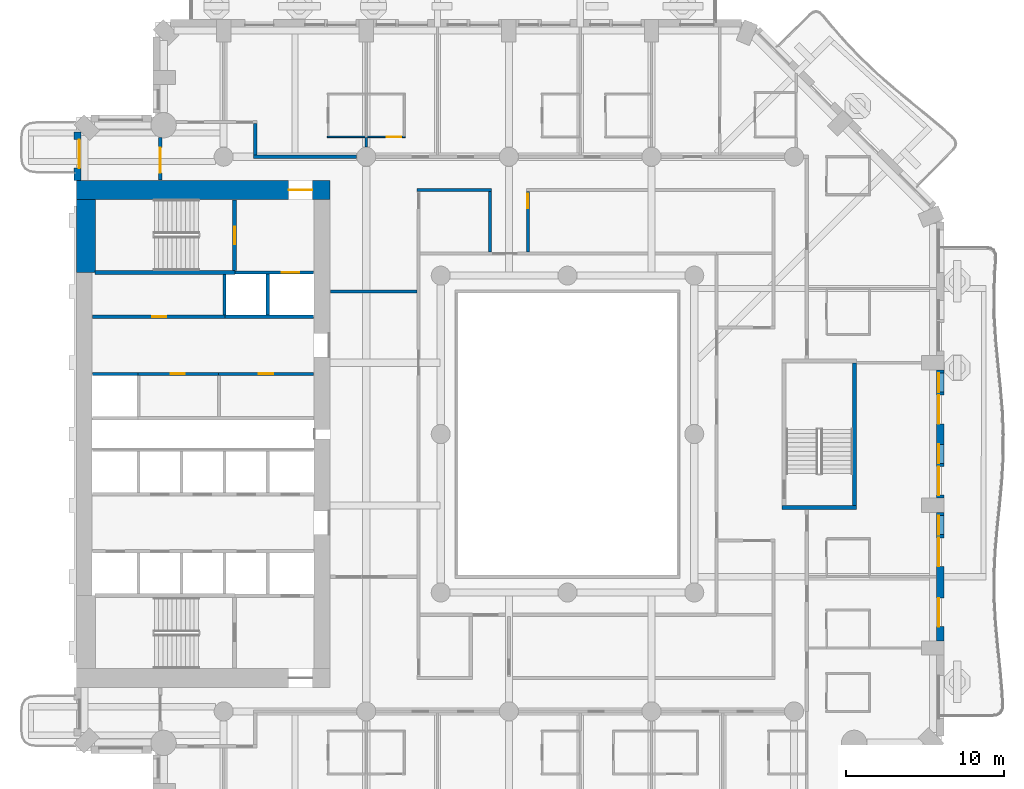
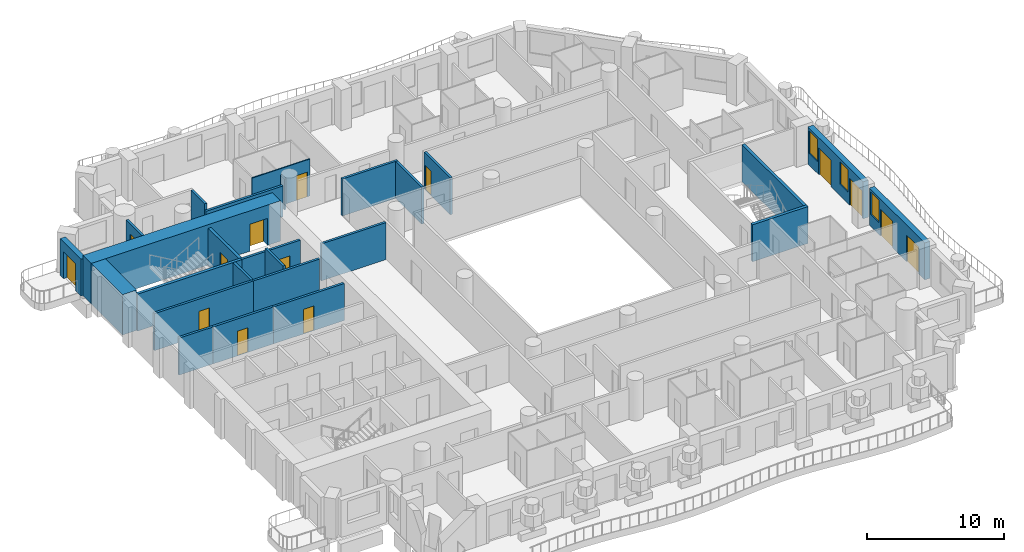
# One storey, part 7 of 20: 26 walls, 14 doors, 3 windows, 17 openings.
"""IFC4 building model written with IfcOpenShell, lengths in metres."""

from ifc_helpers import new_model, si_unit, direction, frame, frame_2d, origin, place, context, subcontext, project, spatial, rectangle, extrude, material, layer, layer_set, type_object, element, fill, save


model = new_model("IFC4")

# Units and contexts
model_context = context("Model", 3, precision=1e-05, world=origin(), true_north=direction((0.0, 1.0)))
body_context = subcontext(model_context, "Body", "Model", "MODEL_VIEW")
ifc_project = project(units=[si_unit("LENGTHUNIT", "METRE"), si_unit("AREAUNIT", "SQUARE_METRE"), si_unit("VOLUMEUNIT", "CUBIC_METRE"), si_unit("PLANEANGLEUNIT", "RADIAN"), si_unit("MASSUNIT", "GRAM", prefix="KILO")], contexts=[model_context])

# Site, building, storey
site_placement = place(None, origin())
site = spatial("IfcSite", under=ifc_project, at=site_placement, CompositionType="ELEMENT")
building_placement = place(site_placement, origin())
building = spatial("IfcBuilding", under=site, at=building_placement, Name="Cypress Arch Tower", CompositionType="ELEMENT")
storey_placement = place(building_placement, frame((0.0, 0.0, 55.5)))
storey = spatial("IfcBuildingStorey", under=building, at=storey_placement, Name="L07", CompositionType="ELEMENT", Elevation=55.5)

# Wall, opening, door
ifc_material_1 = material(Name="Brick (red buff blend)", Category="masonry")
ifc_layer_1 = layer(ifc_material_1, 0.449951171875)
ifc_layer_set_1 = layer_set([ifc_layer_1], Name="Brick pier and spandrel wall BW450")
wall_type_1 = type_object("IfcWallType", Name="Brick pier and spandrel wall BW450", PredefinedType="SOLIDWALL", material=ifc_layer_set_1)
wall_1_placement = place(storey_placement, frame((-29.925048828125, 19.063720703125, 0.0), z_axis=(0.0, 0.0, 1.0), x_axis=(0.0, -1.0, 0.0)))
wall_1 = element("IfcWall", 1, at=wall_1_placement, inside=storey, type_object=wall_type_1, Name="Brick wall L07 A00.0", PredefinedType="SOLIDWALL", context=body_context, shape_type="SweptSolid", body=[
    extrude(rectangle(XDim=3.063720703125, YDim=0.449951171875, at=frame_2d((1.53173828125, 0.0))), origin(), (0.0, 0.0, 1.0), 3.300048828125),
])
opening_1_placement = place(wall_1_placement, frame((0.481689453125, 0.0, 0.0)))
opening_1 = element("IfcOpeningElement", 2, at=opening_1_placement, cuts=wall_1, Name="Opening D-L07-A00.0.1", PredefinedType="OPENING", context=body_context, shape_type="SweptSolid", body=[
    extrude(rectangle(XDim=1.800048828125, YDim=2.39990234375, at=frame_2d((0.89990234375, 1.199951171875))), frame((0.0, 0.23486328125, 0.0), z_axis=(0.0, -1.0, 0.0), x_axis=(1.0, 0.0, 0.0)), (0.0, 0.0, 1.0), 0.469970703125),
])
ifc_material_2 = material(Name="Anodised aluminium, bronze finish, laminated low-emissivity double glazing, large-missile impact rated", Category="aluminium")
door_type_1 = type_object("IfcDoorType", Name="Balcony sliding door 1800x2400", OperationType="SLIDING_TO_LEFT", PredefinedType="DOOR", material=ifc_material_2)
door_1_placement = place(opening_1_placement, origin())
door_1 = element("IfcDoor", 3, at=door_1_placement, inside=storey, type_object=door_type_1, Name="Balcony door L07 A00.0.1", OperationType="SLIDING_TO_LEFT", OverallHeight=2.39990234375, OverallWidth=1.800048828125, PredefinedType="DOOR", context=body_context, shape_type="SweptSolid", body=[
    extrude(rectangle(XDim=1.800048828125, YDim=2.39990234375, at=frame_2d((0.89990234375, 1.199951171875))), frame((0.0, 0.1298828125, 0.0), z_axis=(0.0, -1.0, 0.0), x_axis=(1.0, 0.0, 0.0)), (0.0, 0.0, 1.0), 0.050048828125),
])
fill(opening_1, door_1)

# Wall, openings, doors, window
wall_2_placement = place(storey_placement, frame((24.52490234375, -13.050048828125, 0.0), z_axis=(0.0, 0.0, 1.0), x_axis=(0.0, 1.0, 0.0)))
wall_2 = element("IfcWall", 4, at=wall_2_placement, inside=storey, type_object=wall_type_1, Name="Brick wall L07 A06.1", PredefinedType="SOLIDWALL", context=body_context, shape_type="SweptSolid", body=[
    extrude(rectangle(XDim=8.10009765625, YDim=0.449951171875, at=frame_2d((4.050048828125, 0.0))), origin(), (0.0, 0.0, 1.0), 3.300048828125),
])
opening_2_placement = place(wall_2_placement, frame((0.89990234375, 0.0, 0.0)))
opening_2 = element("IfcOpeningElement", 5, at=opening_2_placement, cuts=wall_2, Name="Opening D-L07-A06.1.1", PredefinedType="OPENING", context=body_context, shape_type="SweptSolid", body=[
    extrude(rectangle(XDim=1.800048828125, YDim=2.39990234375, at=frame_2d((0.89990234375, 1.199951171875))), frame((0.0, 0.23486328125, 0.0), z_axis=(0.0, -1.0, 0.0), x_axis=(1.0, 0.0, 0.0)), (0.0, 0.0, 1.0), 0.469970703125),
])
opening_3_placement = place(wall_2_placement, frame((4.699951171875, 0.0, 0.0)))
opening_3 = element("IfcOpeningElement", 6, at=opening_3_placement, cuts=wall_2, Name="Opening D-L07-A06.1.2", PredefinedType="OPENING", context=body_context, shape_type="SweptSolid", body=[
    extrude(rectangle(XDim=1.800048828125, YDim=2.39990234375, at=frame_2d((0.89990234375, 1.199951171875))), frame((0.0, 0.23486328125, 0.0), z_axis=(0.0, -1.0, 0.0), x_axis=(1.0, 0.0, 0.0)), (0.0, 0.0, 1.0), 0.469970703125),
])
opening_4_placement = place(wall_2_placement, frame((6.699951171875, 0.0, 1.050048828125)))
opening_4 = element("IfcOpeningElement", 7, at=opening_4_placement, cuts=wall_2, Name="Opening W120HD", PredefinedType="OPENING", context=body_context, shape_type="SweptSolid", body=[
    extrude(rectangle(XDim=1.199951171875, YDim=2.0, at=frame_2d((0.60009765625, 1.0))), frame((0.0, 0.23486328125, 0.0), z_axis=(0.0, -1.0, 0.0), x_axis=(1.0, 0.0, 0.0)), (0.0, 0.0, 1.0), 0.469970703125),
])
door_2_placement = place(opening_2_placement, origin())
door_2 = element("IfcDoor", 8, at=door_2_placement, inside=storey, type_object=door_type_1, Name="Balcony door L07 A06.1.1", OperationType="SLIDING_TO_LEFT", OverallHeight=2.39990234375, OverallWidth=1.800048828125, PredefinedType="DOOR", context=body_context, shape_type="SweptSolid", body=[
    extrude(rectangle(XDim=1.800048828125, YDim=2.39990234375, at=frame_2d((0.89990234375, 1.199951171875))), frame((0.0, 0.1298828125, 0.0), z_axis=(0.0, -1.0, 0.0), x_axis=(1.0, 0.0, 0.0)), (0.0, 0.0, 1.0), 0.050048828125),
])
fill(opening_2, door_2)
door_3_placement = place(opening_3_placement, origin())
door_3 = element("IfcDoor", 9, at=door_3_placement, inside=storey, type_object=door_type_1, Name="Balcony door L07 A06.1.2", OperationType="SLIDING_TO_LEFT", OverallHeight=2.39990234375, OverallWidth=1.800048828125, PredefinedType="DOOR", context=body_context, shape_type="SweptSolid", body=[
    extrude(rectangle(XDim=1.800048828125, YDim=2.39990234375, at=frame_2d((0.89990234375, 1.199951171875))), frame((0.0, 0.1298828125, 0.0), z_axis=(0.0, -1.0, 0.0), x_axis=(1.0, 0.0, 0.0)), (0.0, 0.0, 1.0), 0.050048828125),
])
fill(opening_3, door_3)
ifc_material_3 = material(Name="Anodised aluminium, bronze finish, laminated low-emissivity double glazing, large-missile impact rated", Category="aluminium")
window_type = type_object("IfcWindowType", Name="Window Hotel 1200x2000 debris-rated", PartitioningType="SINGLE_PANEL", PredefinedType="WINDOW", material=ifc_material_3)
window_1_placement = place(opening_4_placement, origin())
window_1 = element("IfcWindow", 10, at=window_1_placement, inside=storey, type_object=window_type, Name="Window L07 A06.1.2", OverallHeight=2.0, OverallWidth=1.199951171875, PartitioningType="SINGLE_PANEL", PredefinedType="WINDOW", context=body_context, shape_type="SweptSolid", body=[
    extrude(rectangle(XDim=1.199951171875, YDim=2.0, at=frame_2d((0.60009765625, 1.0))), frame((0.0, 0.135009765625, 0.0), z_axis=(0.0, -1.0, 0.0), x_axis=(1.0, 0.0, 0.0)), (0.0, 0.0, 1.0), 0.06005859375),
])
fill(opening_4, window_1)

# Wall, openings, doors, windows
wall_3_placement = place(storey_placement, frame((24.52490234375, -4.050048828125, 0.0), z_axis=(0.0, 0.0, 1.0), x_axis=(0.0, 1.0, 0.0)))
wall_3 = element("IfcWall", 11, at=wall_3_placement, inside=storey, type_object=wall_type_1, Name="Brick wall L07 A06.2", PredefinedType="SOLIDWALL", context=body_context, shape_type="SweptSolid", body=[
    extrude(rectangle(XDim=8.10009765625, YDim=0.449951171875, at=frame_2d((4.050048828125, 0.0))), origin(), (0.0, 0.0, 1.0), 3.300048828125),
])
opening_5_placement = place(wall_3_placement, frame((0.199951171875, 0.0, 0.0)))
opening_5 = element("IfcOpeningElement", 12, at=opening_5_placement, cuts=wall_3, Name="Opening D-L07-A06.2.1", PredefinedType="OPENING", context=body_context, shape_type="SweptSolid", body=[
    extrude(rectangle(XDim=1.800048828125, YDim=2.39990234375, at=frame_2d((0.89990234375, 1.199951171875))), frame((0.0, 0.23486328125, 0.0), z_axis=(0.0, -1.0, 0.0), x_axis=(1.0, 0.0, 0.0)), (0.0, 0.0, 1.0), 0.469970703125),
])
opening_6_placement = place(wall_3_placement, frame((2.199951171875, 0.0, 1.050048828125)))
opening_6 = element("IfcOpeningElement", 13, at=opening_6_placement, cuts=wall_3, Name="Opening W120HD", PredefinedType="OPENING", context=body_context, shape_type="SweptSolid", body=[
    extrude(rectangle(XDim=1.199951171875, YDim=2.0, at=frame_2d((0.60009765625, 1.0))), frame((0.0, 0.23486328125, 0.0), z_axis=(0.0, -1.0, 0.0), x_axis=(1.0, 0.0, 0.0)), (0.0, 0.0, 1.0), 0.469970703125),
])
opening_7_placement = place(wall_3_placement, frame((4.699951171875, 0.0, 0.0)))
opening_7 = element("IfcOpeningElement", 14, at=opening_7_placement, cuts=wall_3, Name="Opening D-L07-A06.2.2", PredefinedType="OPENING", context=body_context, shape_type="SweptSolid", body=[
    extrude(rectangle(XDim=1.800048828125, YDim=2.39990234375, at=frame_2d((0.89990234375, 1.199951171875))), frame((0.0, 0.23486328125, 0.0), z_axis=(0.0, -1.0, 0.0), x_axis=(1.0, 0.0, 0.0)), (0.0, 0.0, 1.0), 0.469970703125),
])
opening_8_placement = place(wall_3_placement, frame((6.699951171875, 0.0, 1.050048828125)))
opening_8 = element("IfcOpeningElement", 15, at=opening_8_placement, cuts=wall_3, Name="Opening W120HD", PredefinedType="OPENING", context=body_context, shape_type="SweptSolid", body=[
    extrude(rectangle(XDim=1.199951171875, YDim=2.0, at=frame_2d((0.60009765625, 1.0))), frame((0.0, 0.23486328125, 0.0), z_axis=(0.0, -1.0, 0.0), x_axis=(1.0, 0.0, 0.0)), (0.0, 0.0, 1.0), 0.469970703125),
])
door_4_placement = place(opening_5_placement, origin())
door_4 = element("IfcDoor", 16, at=door_4_placement, inside=storey, type_object=door_type_1, Name="Balcony door L07 A06.2.1", OperationType="SLIDING_TO_LEFT", OverallHeight=2.39990234375, OverallWidth=1.800048828125, PredefinedType="DOOR", context=body_context, shape_type="SweptSolid", body=[
    extrude(rectangle(XDim=1.800048828125, YDim=2.39990234375, at=frame_2d((0.89990234375, 1.199951171875))), frame((0.0, 0.1298828125, 0.0), z_axis=(0.0, -1.0, 0.0), x_axis=(1.0, 0.0, 0.0)), (0.0, 0.0, 1.0), 0.050048828125),
])
fill(opening_5, door_4)
door_5_placement = place(opening_7_placement, origin())
door_5 = element("IfcDoor", 17, at=door_5_placement, inside=storey, type_object=door_type_1, Name="Balcony door L07 A06.2.2", OperationType="SLIDING_TO_LEFT", OverallHeight=2.39990234375, OverallWidth=1.800048828125, PredefinedType="DOOR", context=body_context, shape_type="SweptSolid", body=[
    extrude(rectangle(XDim=1.800048828125, YDim=2.39990234375, at=frame_2d((0.89990234375, 1.199951171875))), frame((0.0, 0.1298828125, 0.0), z_axis=(0.0, -1.0, 0.0), x_axis=(1.0, 0.0, 0.0)), (0.0, 0.0, 1.0), 0.050048828125),
])
fill(opening_7, door_5)
window_2_placement = place(opening_6_placement, origin())
window_2 = element("IfcWindow", 18, at=window_2_placement, inside=storey, type_object=window_type, Name="Window L07 A06.2.1", OverallHeight=2.0, OverallWidth=1.199951171875, PartitioningType="SINGLE_PANEL", PredefinedType="WINDOW", context=body_context, shape_type="SweptSolid", body=[
    extrude(rectangle(XDim=1.199951171875, YDim=2.0, at=frame_2d((0.60009765625, 1.0))), frame((0.0, 0.135009765625, 0.0), z_axis=(0.0, -1.0, 0.0), x_axis=(1.0, 0.0, 0.0)), (0.0, 0.0, 1.0), 0.06005859375),
])
fill(opening_6, window_2)
window_3_placement = place(opening_8_placement, origin())
window_3 = element("IfcWindow", 19, at=window_3_placement, inside=storey, type_object=window_type, Name="Window L07 A06.2.2", OverallHeight=2.0, OverallWidth=1.199951171875, PartitioningType="SINGLE_PANEL", PredefinedType="WINDOW", context=body_context, shape_type="SweptSolid", body=[
    extrude(rectangle(XDim=1.199951171875, YDim=2.0, at=frame_2d((0.60009765625, 1.0))), frame((0.0, 0.135009765625, 0.0), z_axis=(0.0, -1.0, 0.0), x_axis=(1.0, 0.0, 0.0)), (0.0, 0.0, 1.0), 0.06005859375),
])
fill(opening_8, window_3)

# Wall, opening, door
ifc_material_4 = material(Name="Concrete C80/95", Category="concrete")
ifc_layer_2 = layer(ifc_material_4, 1.199951171875)
ifc_layer_set_2 = layer_set([ifc_layer_2], Name="Core wall CW1200 C80/95")
wall_type_2 = type_object("IfcWallType", Name="Core wall CW1200 C80/95", PredefinedType="SHEAR", material=ifc_layer_set_2)
wall_4_placement = place(storey_placement, frame((-30.0, 15.39990234375, 0.0), z_axis=(0.0, 0.0, 1.0), x_axis=(1.0, 0.0, 0.0)))
wall_4 = element("IfcWall", 20, at=wall_4_placement, inside=storey, type_object=wall_type_2, Name="Core wall", PredefinedType="SHEAR", context=body_context, shape_type="SweptSolid", body=[
    extrude(rectangle(XDim=16.0, YDim=1.199951171875, at=frame_2d((8.0, 0.0))), origin(), (0.0, 0.0, 1.0), 3.60009765625),
])
opening_9_placement = place(wall_4_placement, frame((13.39990234375, 0.0, 0.0)))
opening_9 = element("IfcOpeningElement", 21, at=opening_9_placement, cuts=wall_4, Name="Opening D07", PredefinedType="OPENING", context=body_context, shape_type="SweptSolid", body=[
    extrude(rectangle(XDim=1.5, YDim=2.39990234375, at=frame_2d((0.75, 1.199951171875))), frame((0.0, 0.60986328125, 0.0), z_axis=(0.0, -1.0, 0.0), x_axis=(1.0, 0.0, 0.0)), (0.0, 0.0, 1.0), 1.219970703125),
])
ifc_material_5 = material(Name="Steel framed glazed door, fire resisting", Category="steel")
door_type_2 = type_object("IfcDoorType", Name="Lobby door D07 1500x2400", OperationType="DOUBLE_DOOR_SINGLE_SWING", PredefinedType="DOOR", material=ifc_material_5)
door_6_placement = place(opening_9_placement, origin())
door_6 = element("IfcDoor", 22, at=door_6_placement, inside=storey, type_object=door_type_2, Name="Lobby door", OperationType="DOUBLE_DOOR_SINGLE_SWING", OverallHeight=2.39990234375, OverallWidth=1.5, PredefinedType="DOOR", context=body_context, shape_type="SweptSolid", body=[
    extrude(rectangle(XDim=1.5, YDim=2.39990234375, at=frame_2d((0.75, 1.199951171875))), frame((0.0, 0.02490234375, 0.0), z_axis=(0.0, -1.0, 0.0), x_axis=(1.0, 0.0, 0.0)), (0.0, 0.0, 1.0), 0.050048828125),
])
fill(opening_9, door_6)

# Wall
wall_5_placement = place(storey_placement, frame((-29.39990234375, 10.199951171875, 0.0), z_axis=(0.0, 0.0, 1.0), x_axis=(0.0, 1.0, 0.0)))
element("IfcWall", 23, at=wall_5_placement, inside=storey, type_object=wall_type_2, Name="Core wall", PredefinedType="SHEAR", context=body_context, shape_type="SweptSolid", body=[
    extrude(rectangle(XDim=4.60009765625, YDim=1.199951171875, at=frame_2d((2.300048828125, 0.0))), origin(), (0.0, 0.0, 1.0), 3.60009765625),
])

# Wall, opening, door
ifc_material_6 = material(Name="Concrete blockwork, plastered, rated", Category="masonry")
ifc_layer_3 = layer(ifc_material_6, 0.199951171875)
ifc_layer_set_3 = layer_set([ifc_layer_3], Name="Corridor wall FW200")
wall_type_3 = type_object("IfcWallType", Name="Corridor wall FW200", PredefinedType="PARTITIONING", material=ifc_layer_set_3)
wall_6_placement = place(storey_placement, frame((-28.969970703125, 7.39990234375, 0.0), z_axis=(0.0, 0.0, 1.0), x_axis=(1.0, 0.0, 0.0)))
wall_6 = element("IfcWall", 24, at=wall_6_placement, inside=storey, type_object=wall_type_3, Name="Corridor wall", PredefinedType="PARTITIONING", context=body_context, shape_type="SweptSolid", body=[
    extrude(rectangle(XDim=8.349853515625, YDim=0.199951171875, at=frame_2d((4.1748046875, 0.0))), origin(), (0.0, 0.0, 1.0), 3.300048828125),
])
opening_10_placement = place(wall_6_placement, frame((3.75, 0.0, 0.0)))
opening_10 = element("IfcOpeningElement", 25, at=opening_10_placement, cuts=wall_6, Name="Opening D05", PredefinedType="OPENING", context=body_context, shape_type="SweptSolid", body=[
    extrude(rectangle(XDim=0.89990234375, YDim=2.199951171875, at=frame_2d((0.449951171875, 1.10009765625))), frame((0.0, 0.10986328125, 0.0), z_axis=(0.0, -1.0, 0.0), x_axis=(1.0, 0.0, 0.0)), (0.0, 0.0, 1.0), 0.219970703125),
])
ifc_material_7 = material(Name="Timber flush door", Category="wood")
door_type_3 = type_object("IfcDoorType", Name="Service door D05 900x2200", OperationType="SINGLE_SWING_LEFT", PredefinedType="DOOR", material=ifc_material_7)
door_7_placement = place(opening_10_placement, origin())
door_7 = element("IfcDoor", 26, at=door_7_placement, inside=storey, type_object=door_type_3, Name="Service door", OperationType="SINGLE_SWING_RIGHT", OverallHeight=2.199951171875, OverallWidth=0.89990234375, PredefinedType="DOOR", context=body_context, shape_type="SweptSolid", body=[
    extrude(rectangle(XDim=0.89990234375, YDim=2.199951171875, at=frame_2d((0.449951171875, 1.10009765625))), frame((0.0, 0.02490234375, 0.0), z_axis=(0.0, -1.0, 0.0), x_axis=(1.0, 0.0, 0.0)), (0.0, 0.0, 1.0), 0.050048828125),
])
fill(opening_10, door_7)

wall_7_placement = place(storey_placement, frame((-26.10009765625, 3.800048828125, 0.0), z_axis=(0.0, 0.0, 1.0), x_axis=(1.0, 0.0, 0.0)))
wall_7 = element("IfcWall", 27, at=wall_7_placement, inside=storey, type_object=wall_type_3, Name="Corridor wall", PredefinedType="PARTITIONING", context=body_context, shape_type="SweptSolid", body=[
    extrude(rectangle(XDim=5.080078125, YDim=0.199951171875, at=frame_2d((2.5400390625, 0.0))), origin(), (0.0, 0.0, 1.0), 3.300048828125),
])
opening_11_placement = place(wall_7_placement, frame((2.050048828125, 0.0, 0.0)))
opening_11 = element("IfcOpeningElement", 28, at=opening_11_placement, cuts=wall_7, Name="Opening D05", PredefinedType="OPENING", context=body_context, shape_type="SweptSolid", body=[
    extrude(rectangle(XDim=0.89990234375, YDim=2.199951171875, at=frame_2d((0.449951171875, 1.10009765625))), frame((0.0, 0.10986328125, 0.0), z_axis=(0.0, -1.0, 0.0), x_axis=(1.0, 0.0, 0.0)), (0.0, 0.0, 1.0), 0.219970703125),
])
door_8_placement = place(opening_11_placement, origin())
door_8 = element("IfcDoor", 29, at=door_8_placement, inside=storey, type_object=door_type_3, Name="Service door", OperationType="SINGLE_SWING_RIGHT", OverallHeight=2.199951171875, OverallWidth=0.89990234375, PredefinedType="DOOR", context=body_context, shape_type="SweptSolid", body=[
    extrude(rectangle(XDim=0.89990234375, YDim=2.199951171875, at=frame_2d((0.449951171875, 1.10009765625))), frame((0.0, 0.02490234375, 0.0), z_axis=(0.0, -1.0, 0.0), x_axis=(1.0, 0.0, 0.0)), (0.0, 0.0, 1.0), 0.050048828125),
])
fill(opening_11, door_8)

wall_8_placement = place(storey_placement, frame((-24.699951171875, 16.030029296875, 0.0), z_axis=(0.0, 0.0, 1.0), x_axis=(0.0, 1.0, 0.0)))
wall_8 = element("IfcWall", 30, at=wall_8_placement, inside=storey, type_object=wall_type_3, Name="Corridor wall", PredefinedType="PARTITIONING", context=body_context, shape_type="SweptSolid", body=[
    extrude(rectangle(XDim=2.670166015625, YDim=0.199951171875, at=frame_2d((1.3349609375, 0.0))), origin(), (0.0, 0.0, 1.0), 3.300048828125),
])
opening_12_placement = place(wall_8_placement, frame((0.449951171875, 0.0, 0.0)))
opening_12 = element("IfcOpeningElement", 31, at=opening_12_placement, cuts=wall_8, Name="Opening D10", PredefinedType="OPENING", context=body_context, shape_type="SweptSolid", body=[
    extrude(rectangle(XDim=1.60009765625, YDim=2.39990234375, at=frame_2d((0.800048828125, 1.199951171875))), frame((0.0, 0.10986328125, 0.0), z_axis=(0.0, -1.0, 0.0), x_axis=(1.0, 0.0, 0.0)), (0.0, 0.0, 1.0), 0.219970703125),
])
ifc_material_8 = material(Name="Black aluminium glazed door", Category="aluminium")
door_type_4 = type_object("IfcDoorType", Name="Amenity door D10 1600x2400", OperationType="DOUBLE_DOOR_SINGLE_SWING", PredefinedType="DOOR", material=ifc_material_8)
door_9_placement = place(opening_12_placement, origin())
door_9 = element("IfcDoor", 32, at=door_9_placement, inside=storey, type_object=door_type_4, Name="Amenity door", OperationType="DOUBLE_DOOR_SINGLE_SWING", OverallHeight=2.39990234375, OverallWidth=1.60009765625, PredefinedType="DOOR", context=body_context, shape_type="SweptSolid", body=[
    extrude(rectangle(XDim=1.60009765625, YDim=2.39990234375, at=frame_2d((0.800048828125, 1.199951171875))), frame((0.0, 0.02490234375, 0.0), z_axis=(0.0, -1.0, 0.0), x_axis=(1.0, 0.0, 0.0)), (0.0, 0.0, 1.0), 0.050048828125),
])
fill(opening_12, door_9)

# Walls
wall_9_placement = place(storey_placement, frame((-18.699951171875, 17.60009765625, 0.0), z_axis=(0.0, 0.0, 1.0), x_axis=(0.0, 1.0, 0.0)))
element("IfcWall", 33, at=wall_9_placement, inside=storey, type_object=wall_type_3, Name="Corridor wall", PredefinedType="PARTITIONING", context=body_context, shape_type="SweptSolid", body=[
    extrude(rectangle(XDim=2.0, YDim=0.199951171875, at=frame_2d((1.0, 0.0))), origin(), (0.0, 0.0, 1.0), 3.300048828125),
])
wall_10_placement = place(storey_placement, frame((-18.800048828125, 17.5, 0.0), z_axis=(0.0, 0.0, 1.0), x_axis=(1.0, 0.0, 0.0)))
element("IfcWall", 34, at=wall_10_placement, inside=storey, type_object=wall_type_3, Name="Corridor wall", PredefinedType="PARTITIONING", context=body_context, shape_type="SweptSolid", body=[
    extrude(rectangle(XDim=6.5, YDim=0.199951171875, at=frame_2d((3.25, 0.0))), origin(), (0.0, 0.0, 1.0), 2.75),
])
wall_11_placement = place(storey_placement, frame((-13.969970703125, 9.0, 0.0), z_axis=(0.0, 0.0, 1.0), x_axis=(1.0, 0.0, 0.0)))
element("IfcWall", 35, at=wall_11_placement, inside=storey, type_object=wall_type_3, Name="Corridor wall", PredefinedType="PARTITIONING", context=body_context, shape_type="SweptSolid", body=[
    extrude(rectangle(XDim=5.469970703125, YDim=0.199951171875, at=frame_2d((2.73486328125, 0.0))), origin(), (0.0, 0.0, 1.0), 3.300048828125),
])
wall_12_placement = place(storey_placement, frame((-8.5, 15.39990234375, 0.0), z_axis=(0.0, 0.0, 1.0), x_axis=(1.0, 0.0, 0.0)))
element("IfcWall", 36, at=wall_12_placement, inside=storey, type_object=wall_type_3, Name="Corridor wall", PredefinedType="PARTITIONING", context=body_context, shape_type="SweptSolid", body=[
    extrude(rectangle(XDim=4.699951171875, YDim=0.199951171875, at=frame_2d((2.35009765625, 0.0))), origin(), (0.0, 0.0, 1.0), 3.300048828125),
])
wall_13_placement = place(storey_placement, frame((-3.89990234375, 11.5, 0.0), z_axis=(0.0, 0.0, 1.0), x_axis=(0.0, 1.0, 0.0)))
element("IfcWall", 37, at=wall_13_placement, inside=storey, type_object=wall_type_3, Name="Corridor wall", PredefinedType="PARTITIONING", context=body_context, shape_type="SweptSolid", body=[
    extrude(rectangle(XDim=3.800048828125, YDim=0.199951171875, at=frame_2d((1.89990234375, 0.0))), origin(), (0.0, 0.0, 1.0), 3.300048828125),
])

# Wall, opening, door
wall_14_placement = place(storey_placement, frame((-1.5, 11.5, 0.0), z_axis=(0.0, 0.0, 1.0), x_axis=(0.0, 1.0, 0.0)))
wall_14 = element("IfcWall", 38, at=wall_14_placement, inside=storey, type_object=wall_type_3, Name="Corridor wall", PredefinedType="PARTITIONING", context=body_context, shape_type="SweptSolid", body=[
    extrude(rectangle(XDim=3.800048828125, YDim=0.199951171875, at=frame_2d((1.89990234375, 0.0))), origin(), (0.0, 0.0, 1.0), 3.300048828125),
])
opening_13_placement = place(wall_14_placement, frame((2.75, 0.0, 0.0)))
opening_13 = element("IfcOpeningElement", 39, at=opening_13_placement, cuts=wall_14, Name="Opening D05", PredefinedType="OPENING", context=body_context, shape_type="SweptSolid", body=[
    extrude(rectangle(XDim=0.89990234375, YDim=2.199951171875, at=frame_2d((0.449951171875, 1.10009765625))), frame((0.0, 0.10986328125, 0.0), z_axis=(0.0, -1.0, 0.0), x_axis=(1.0, 0.0, 0.0)), (0.0, 0.0, 1.0), 0.219970703125),
])
door_10_placement = place(opening_13_placement, origin())
door_10 = element("IfcDoor", 40, at=door_10_placement, inside=storey, type_object=door_type_3, Name="Service door", OperationType="SINGLE_SWING_LEFT", OverallHeight=2.199951171875, OverallWidth=0.89990234375, PredefinedType="DOOR", context=body_context, shape_type="SweptSolid", body=[
    extrude(rectangle(XDim=0.89990234375, YDim=2.199951171875, at=frame_2d((0.449951171875, 1.10009765625))), frame((0.0, 0.02490234375, 0.0), z_axis=(0.0, -1.0, 0.0), x_axis=(1.0, 0.0, 0.0)), (0.0, 0.0, 1.0), 0.050048828125),
])
fill(opening_13, door_10)

# Wall
ifc_material_9 = material(Name="Blockwork, plastered both sides", Category="masonry")
ifc_layer_4 = layer(ifc_material_9, 0.14990234375)
ifc_layer_set_4 = layer_set([ifc_layer_4], Name="Partition PW150")
wall_type_4 = type_object("IfcWallType", Name="Partition PW150", PredefinedType="PARTITIONING", material=ifc_layer_set_4)
wall_15_placement = place(storey_placement, frame((-11.699951171875, 18.10009765625, 0.0), z_axis=(0.0, 0.0, 1.0), x_axis=(0.0, 1.0, 0.0)))
element("IfcWall", 41, at=wall_15_placement, inside=storey, type_object=wall_type_4, Name="Partition", PredefinedType="PARTITIONING", context=body_context, shape_type="SweptSolid", body=[
    extrude(rectangle(XDim=0.6298828125, YDim=0.14990234375, at=frame_2d((0.31494140625, 0.0))), origin(), (0.0, 0.0, 1.0), 2.75),
])

# Wall, opening, door
ifc_material_10 = material(Name="Reinforced blockwork, plastered, rated", Category="masonry")
ifc_layer_5 = layer(ifc_material_10, 0.199951171875)
ifc_layer_set_5 = layer_set([ifc_layer_5], Name="Plant and riser wall PL200")
wall_type_5 = type_object("IfcWallType", Name="Plant and riser wall PL200", PredefinedType="PARTITIONING", material=ifc_layer_set_5)
wall_16_placement = place(storey_placement, frame((-21.02001953125, 3.800048828125, 0.0), z_axis=(0.0, 0.0, 1.0), x_axis=(1.0, 0.0, 0.0)))
wall_16 = element("IfcWall", 42, at=wall_16_placement, inside=storey, type_object=wall_type_5, Name="Plant and riser wall", PredefinedType="PARTITIONING", context=body_context, shape_type="SweptSolid", body=[
    extrude(rectangle(XDim=5.989990234375, YDim=0.199951171875, at=frame_2d((2.9951171875, 0.0))), origin(), (0.0, 0.0, 1.0), 3.300048828125),
])
opening_14_placement = place(wall_16_placement, frame((2.550048828125, 0.0, 0.0)))
opening_14 = element("IfcOpeningElement", 43, at=opening_14_placement, cuts=wall_16, Name="Opening D05", PredefinedType="OPENING", context=body_context, shape_type="SweptSolid", body=[
    extrude(rectangle(XDim=0.89990234375, YDim=2.199951171875, at=frame_2d((0.449951171875, 1.10009765625))), frame((0.0, 0.10986328125, 0.0), z_axis=(0.0, -1.0, 0.0), x_axis=(1.0, 0.0, 0.0)), (0.0, 0.0, 1.0), 0.219970703125),
])
door_11_placement = place(opening_14_placement, origin())
door_11 = element("IfcDoor", 44, at=door_11_placement, inside=storey, type_object=door_type_3, Name="Service door", OperationType="SINGLE_SWING_RIGHT", OverallHeight=2.199951171875, OverallWidth=0.89990234375, PredefinedType="DOOR", context=body_context, shape_type="SweptSolid", body=[
    extrude(rectangle(XDim=0.89990234375, YDim=2.199951171875, at=frame_2d((0.449951171875, 1.10009765625))), frame((0.0, 0.02490234375, 0.0), z_axis=(0.0, -1.0, 0.0), x_axis=(1.0, 0.0, 0.0)), (0.0, 0.0, 1.0), 0.050048828125),
])
fill(opening_14, door_11)

# Walls
ifc_material_11 = material(Name="Concrete C50/60", Category="concrete")
ifc_layer_6 = layer(ifc_material_11, 0.199951171875)
ifc_layer_set_6 = layer_set([ifc_layer_6], Name="Shaft wall SH200")
wall_type_6 = type_object("IfcWallType", Name="Shaft wall SH200", PredefinedType="SHEAR", material=ifc_layer_set_6)
wall_17_placement = place(storey_placement, frame((-28.969970703125, 3.800048828125, 0.0), z_axis=(0.0, 0.0, 1.0), x_axis=(1.0, 0.0, 0.0)))
element("IfcWall", 45, at=wall_17_placement, inside=storey, type_object=wall_type_6, Name="Shaft wall", PredefinedType="SHEAR", context=body_context, shape_type="SweptSolid", body=[
    extrude(rectangle(XDim=2.869873046875, YDim=0.199951171875, at=frame_2d((1.43505859375, 0.0))), origin(), (0.0, 0.0, 1.0), 3.300048828125),
])
wall_18_placement = place(storey_placement, frame((-20.639892578125, 7.5, 0.0), z_axis=(0.0, 0.0, 1.0), x_axis=(0.0, 1.0, 0.0)))
element("IfcWall", 46, at=wall_18_placement, inside=storey, type_object=wall_type_6, Name="Shaft wall", PredefinedType="SHEAR", context=body_context, shape_type="SweptSolid", body=[
    extrude(rectangle(XDim=2.574951171875, YDim=0.199951171875, at=frame_2d((1.28759765625, 0.0))), origin(), (0.0, 0.0, 1.0), 3.300048828125),
])
wall_19_placement = place(storey_placement, frame((-20.6201171875, 7.39990234375, 0.0), z_axis=(0.0, 0.0, 1.0), x_axis=(1.0, 0.0, 0.0)))
element("IfcWall", 47, at=wall_19_placement, inside=storey, type_object=wall_type_6, Name="Shaft wall", PredefinedType="SHEAR", context=body_context, shape_type="SweptSolid", body=[
    extrude(rectangle(XDim=5.590087890625, YDim=0.199951171875, at=frame_2d((2.794921875, 0.0))), origin(), (0.0, 0.0, 1.0), 3.300048828125),
])

# Wall, opening, door
wall_20_placement = place(storey_placement, frame((-19.97998046875, 10.199951171875, 0.0), z_axis=(0.0, 0.0, 1.0), x_axis=(1.0, 0.0, 0.0)))
wall_20 = element("IfcWall", 48, at=wall_20_placement, inside=storey, type_object=wall_type_6, Name="Shaft wall", PredefinedType="SHEAR", context=body_context, shape_type="SweptSolid", body=[
    extrude(rectangle(XDim=4.949951171875, YDim=0.199951171875, at=frame_2d((2.47509765625, 0.0))), origin(), (0.0, 0.0, 1.0), 3.300048828125),
])
opening_15_placement = place(wall_20_placement, frame((2.949951171875, 0.0, 0.0)))
opening_15 = element("IfcOpeningElement", 49, at=opening_15_placement, cuts=wall_20, Name="Opening LD-FL2", PredefinedType="OPENING", context=body_context, shape_type="SweptSolid", body=[
    extrude(rectangle(XDim=1.10009765625, YDim=2.199951171875, at=frame_2d((0.550048828125, 1.10009765625))), frame((0.0, 0.10986328125, 0.0), z_axis=(0.0, -1.0, 0.0), x_axis=(1.0, 0.0, 0.0)), (0.0, 0.0, 1.0), 0.219970703125),
])
ifc_material_12 = material(Name="Stainless steel centre-opening landing door, rated", Category="steel")
door_type_5 = type_object("IfcDoorType", Name="Lift landing door LD 1100x2200", OperationType="DOUBLE_DOOR_SLIDING", PredefinedType="DOOR", material=ifc_material_12)
door_12_placement = place(opening_15_placement, origin())
door_12 = element("IfcDoor", 50, at=door_12_placement, inside=storey, type_object=door_type_5, Name="Lift landing doors FL2", OperationType="DOUBLE_DOOR_SLIDING", OverallHeight=2.199951171875, OverallWidth=1.10009765625, PredefinedType="DOOR", context=body_context, shape_type="SweptSolid", body=[
    extrude(rectangle(XDim=1.10009765625, YDim=2.199951171875, at=frame_2d((0.550048828125, 1.10009765625))), frame((0.0, 0.02490234375, 0.0), z_axis=(0.0, -1.0, 0.0), x_axis=(1.0, 0.0, 0.0)), (0.0, 0.0, 1.0), 0.050048828125),
])
fill(opening_15, door_12)

# Walls
wall_21_placement = place(storey_placement, frame((-17.919921875, 7.5, 0.0), z_axis=(0.0, 0.0, 1.0), x_axis=(0.0, 1.0, 0.0)))
element("IfcWall", 51, at=wall_21_placement, inside=storey, type_object=wall_type_6, Name="Shaft wall", PredefinedType="SHEAR", context=body_context, shape_type="SweptSolid", body=[
    extrude(rectangle(XDim=2.60009765625, YDim=0.199951171875, at=frame_2d((1.300048828125, 0.0))), origin(), (0.0, 0.0, 1.0), 3.60009765625),
])
ifc_material_13 = material(Name="Concrete C50/60", Category="concrete")
ifc_layer_7 = layer(ifc_material_13, 0.25)
ifc_layer_set_7 = layer_set([ifc_layer_7], Name="Stair enclosure wall SW250")
wall_type_7 = type_object("IfcWallType", Name="Stair enclosure wall SW250", PredefinedType="SHEAR", material=ifc_layer_set_7)
wall_22_placement = place(storey_placement, frame((-28.81005859375, 10.199951171875, 0.0), z_axis=(0.0, 0.0, 1.0), x_axis=(1.0, 0.0, 0.0)))
element("IfcWall", 52, at=wall_22_placement, inside=storey, type_object=wall_type_7, Name="Stair enclosure wall", PredefinedType="SHEAR", context=body_context, shape_type="SweptSolid", body=[
    extrude(rectangle(XDim=8.830078125, YDim=0.25, at=frame_2d((4.4150390625, 0.0))), origin(), (0.0, 0.0, 1.0), 3.300048828125),
])

# Wall, opening, door
wall_23_placement = place(storey_placement, frame((-20.0, 10.324951171875, 0.0), z_axis=(0.0, 0.0, 1.0), x_axis=(0.0, 1.0, 0.0)))
wall_23 = element("IfcWall", 53, at=wall_23_placement, inside=storey, type_object=wall_type_7, Name="Stair enclosure wall", PredefinedType="SHEAR", context=body_context, shape_type="SweptSolid", body=[
    extrude(rectangle(XDim=4.445068359375, YDim=0.25, at=frame_2d((2.22265625, 0.0))), origin(), (0.0, 0.0, 1.0), 3.300048828125),
])
opening_16_placement = place(wall_23_placement, frame((1.64990234375, 0.0, 0.0)))
opening_16 = element("IfcOpeningElement", 54, at=opening_16_placement, cuts=wall_23, Name="Opening D06", PredefinedType="OPENING", context=body_context, shape_type="SweptSolid", body=[
    extrude(rectangle(XDim=1.10009765625, YDim=2.199951171875, at=frame_2d((0.550048828125, 1.10009765625))), frame((0.0, 0.135009765625, 0.0), z_axis=(0.0, -1.0, 0.0), x_axis=(1.0, 0.0, 0.0)), (0.0, 0.0, 1.0), 0.27001953125),
])
ifc_material_14 = material(Name="Steel door, fire resisting, panic bar", Category="steel")
door_type_6 = type_object("IfcDoorType", Name="Stair door D06 1100x2200", OperationType="SINGLE_SWING_LEFT", PredefinedType="DOOR", material=ifc_material_14)
door_13_placement = place(opening_16_placement, origin())
door_13 = element("IfcDoor", 55, at=door_13_placement, inside=storey, type_object=door_type_6, Name="Stair door", OperationType="SINGLE_SWING_LEFT", OverallHeight=2.199951171875, OverallWidth=1.10009765625, PredefinedType="DOOR", context=body_context, shape_type="SweptSolid", body=[
    extrude(rectangle(XDim=1.10009765625, YDim=2.199951171875, at=frame_2d((0.550048828125, 1.10009765625))), frame((0.0, 0.02490234375, 0.0), z_axis=(0.0, -1.0, 0.0), x_axis=(1.0, 0.0, 0.0)), (0.0, 0.0, 1.0), 0.050048828125),
])
fill(opening_16, door_13)

# Walls
wall_24_placement = place(storey_placement, frame((14.550048828125, -4.625, 0.0), z_axis=(0.0, 0.0, 1.0), x_axis=(1.0, 0.0, 0.0)))
element("IfcWall", 56, at=wall_24_placement, inside=storey, type_object=wall_type_7, Name="Stair enclosure wall", PredefinedType="SHEAR", context=body_context, shape_type="SweptSolid", body=[
    extrude(rectangle(XDim=4.699951171875, YDim=0.25, at=frame_2d((2.35009765625, 0.0))), origin(), (0.0, 0.0, 1.0), 3.300048828125),
])
wall_25_placement = place(storey_placement, frame((19.125, -4.5, 0.0), z_axis=(0.0, 0.0, 1.0), x_axis=(0.0, 1.0, 0.0)))
element("IfcWall", 57, at=wall_25_placement, inside=storey, type_object=wall_type_7, Name="Stair enclosure wall", PredefinedType="SHEAR", context=body_context, shape_type="SweptSolid", body=[
    extrude(rectangle(XDim=9.0, YDim=0.25, at=frame_2d((4.5, 0.0))), origin(), (0.0, 0.0, 1.0), 3.300048828125),
])

# Wall, opening, door
ifc_material_15 = material(Name="Moisture resistant board on steel studs, tiled", Category="steel")
ifc_layer_8 = layer(ifc_material_15, 0.10009765625)
ifc_layer_set_8 = layer_set([ifc_layer_8], Name="Wet wall PW100")
wall_type_8 = type_object("IfcWallType", Name="Wet wall PW100", PredefinedType="PARTITIONING", material=ifc_layer_set_8)
wall_26_placement = place(storey_placement, frame((-14.14599609375, 18.75, 0.0), z_axis=(0.0, 0.0, 1.0), x_axis=(1.0, 0.0, 0.0)))
wall_26 = element("IfcWall", 58, at=wall_26_placement, inside=storey, type_object=wall_type_8, Name="Wet wall", PredefinedType="PARTITIONING", context=body_context, shape_type="SweptSolid", body=[
    extrude(rectangle(XDim=4.89208984375, YDim=0.10009765625, at=frame_2d((2.446044921875, 0.0))), origin(), (0.0, 0.0, 1.0), 3.300048828125),
])
opening_17_placement = place(wall_26_placement, frame((3.75, 0.0, 0.0)))
opening_17 = element("IfcOpeningElement", 59, at=opening_17_placement, cuts=wall_26, Name="Opening D03", PredefinedType="OPENING", context=body_context, shape_type="SweptSolid", body=[
    extrude(rectangle(XDim=0.89990234375, YDim=2.199951171875, at=frame_2d((0.449951171875, 1.10009765625))), frame((0.0, 0.06005859375, 0.0), z_axis=(0.0, -1.0, 0.0), x_axis=(1.0, 0.0, 0.0)), (0.0, 0.0, 1.0), 0.1201171875),
])
ifc_material_16 = material(Name="Timber flush door, moisture resistant", Category="wood")
door_type_7 = type_object("IfcDoorType", Name="Bathroom door D03 900x2200", OperationType="SINGLE_SWING_LEFT", PredefinedType="DOOR", material=ifc_material_16)
door_14_placement = place(opening_17_placement, origin())
door_14 = element("IfcDoor", 60, at=door_14_placement, inside=storey, type_object=door_type_7, Name="Bathroom door", OperationType="SINGLE_SWING_RIGHT", OverallHeight=2.199951171875, OverallWidth=0.89990234375, PredefinedType="DOOR", context=body_context, shape_type="SweptSolid", body=[
    extrude(rectangle(XDim=0.89990234375, YDim=2.199951171875, at=frame_2d((0.449951171875, 1.10009765625))), frame((0.0, 0.02490234375, 0.0), z_axis=(0.0, -1.0, 0.0), x_axis=(1.0, 0.0, 0.0)), (0.0, 0.0, 1.0), 0.050048828125),
])
fill(opening_17, door_14)

save(model, "model.ifc")
